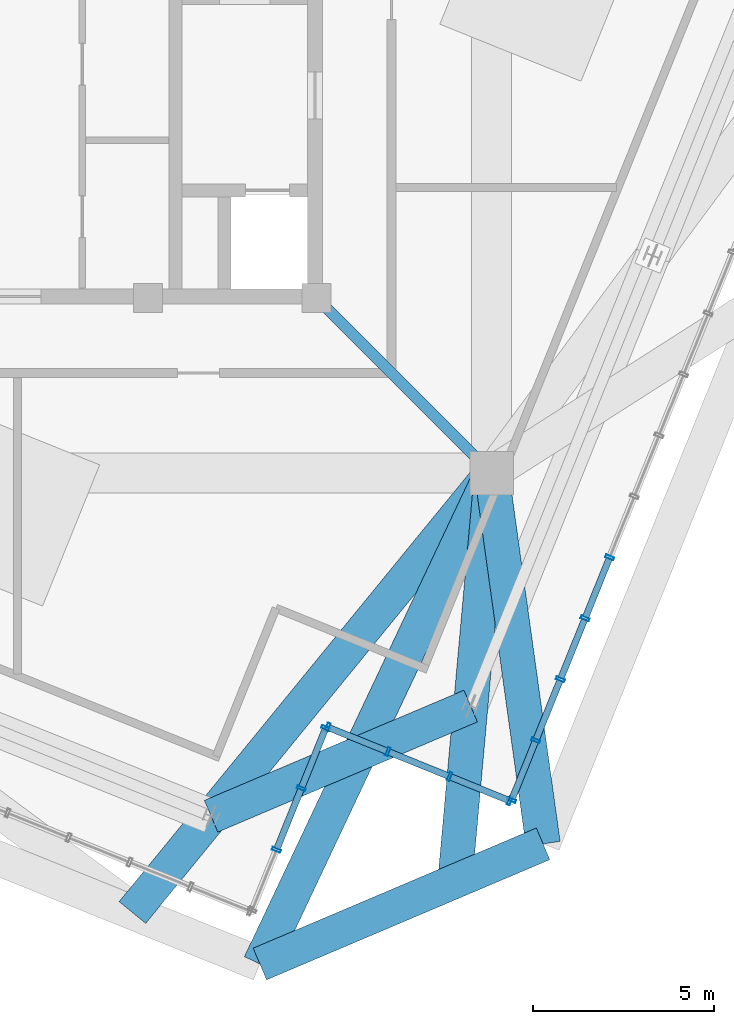
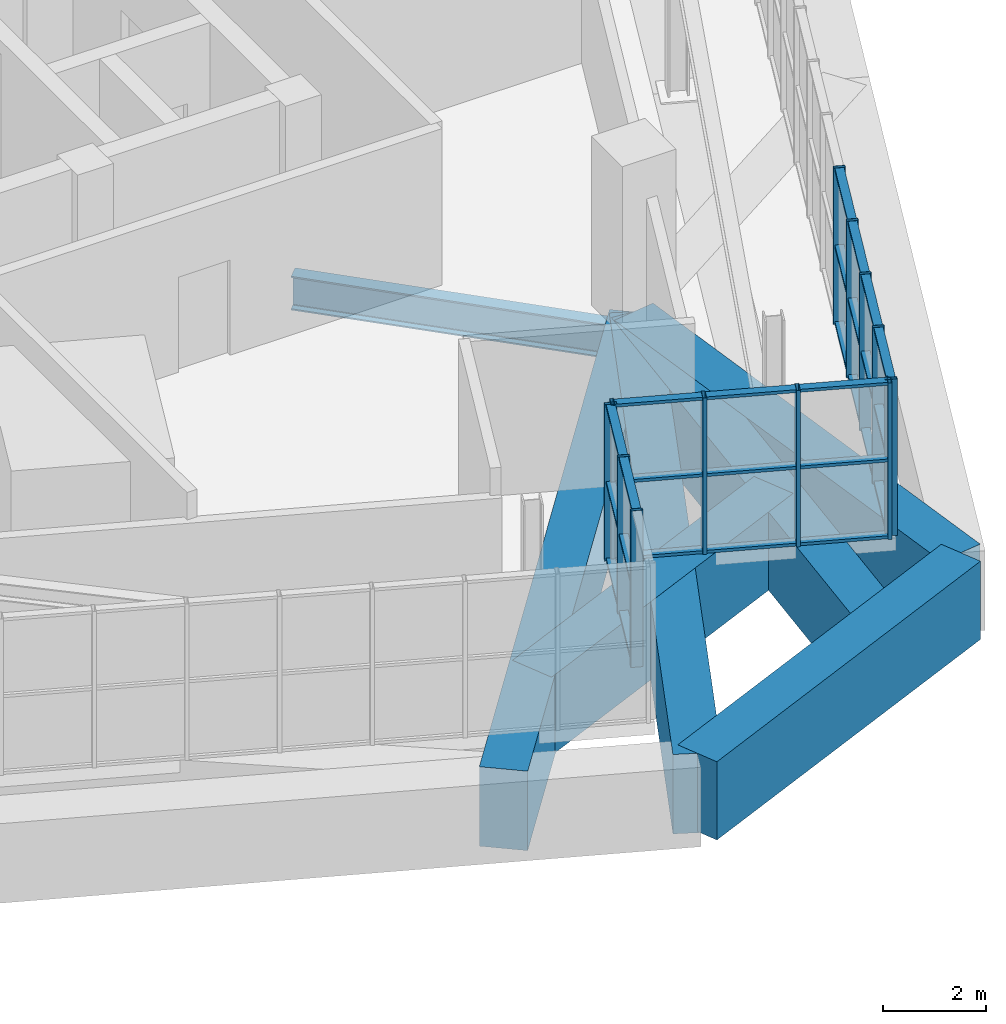
# One storey, part 13 of 35: 39 members, 7 beams, 3 elements without a shape of their own.
"""IFC4 building model written with IfcOpenShell, lengths in metres."""

from ifc_helpers import new_model, si_unit, direction, frame, origin, origin_2d, place, context, subcontext, project, spatial, rectangle, hollow_rectangle, i_section, extrude, source, transform, mapped, material, layer, layer_set, material_profile, profile_set, type_object, element, aggregate, save


model = new_model("IFC4")

# Units and contexts
model_context = context("Model", 3, precision=1e-05, world=origin(), true_north=direction((0.0, 1.0)))
body_context = subcontext(model_context, "Body", "Model", "MODEL_VIEW")
ifc_project = project(units=[si_unit("LENGTHUNIT", "METRE"), si_unit("AREAUNIT", "SQUARE_METRE"), si_unit("VOLUMEUNIT", "CUBIC_METRE"), si_unit("PLANEANGLEUNIT", "RADIAN"), si_unit("MASSUNIT", "GRAM", prefix="KILO"), si_unit("THERMODYNAMICTEMPERATUREUNIT", "KELVIN")], contexts=[model_context])

# Site, building, storey
site_placement = place(None, origin())
site = spatial("IfcSite", under=ifc_project, at=site_placement, CompositionType="ELEMENT")
building_placement = place(site_placement, origin())
building = spatial("IfcBuilding", under=site, at=building_placement, Name="Kosmvard Interchange Tower", CompositionType="ELEMENT")
storey_placement = place(building_placement, frame((0.0, 0.0, 321.60009765625)))
storey = spatial("IfcBuildingStorey", under=building, at=storey_placement, Name="L79", CompositionType="ELEMENT", Elevation=321.60009765625)

# Beams
ifc_material_1 = material(Name="Steel S355", Category="steel")
ifc_material_profile_1 = material_profile(ifc_material_1, i_section(OverallWidth=0.300048828125, OverallDepth=0.800048828125, WebThickness=0.017578125, FlangeThickness=0.032958984375, FilletRadius=0.027099609375, at=origin_2d()), Name="HEB 800")
ifc_profile_set_1 = profile_set([ifc_material_profile_1], Name="Steel S355")
beam_type_1 = type_object("IfcBeamType", Name="Primary Mega-Frame Girder HEB 800 S355", PredefinedType="BEAM", material=ifc_profile_set_1)
shared_shape_1 = source(origin(), body_context, "Body", "SweptSolid", [
    extrude(i_section(OverallWidth=0.300048828125, OverallDepth=0.800048828125, WebThickness=0.017578125, FlangeThickness=0.032958984375, FilletRadius=0.027099609375, at=origin_2d()), origin(), (0.0, 0.0, 1.0), 6.83203125),
])
beam_1_placement = place(storey_placement, frame((8.25, -8.25, -0.7001953125), z_axis=(0.707106781187, -0.707106781187, 0.0), x_axis=(0.707106781187, 0.707106781187, 0.0)))
element("IfcBeam", 1, at=beam_1_placement, inside=storey, type_object=beam_type_1, Name="L79 Radial Mega-Frame Girder 2", PredefinedType="BEAM", context=body_context, shape_type="MappedRepresentation", body=[
    mapped(shared_shape_1, transform((0.0, 0.0, 0.0), scale=1.0)),
])
ifc_material_2 = material(Name="Concrete C60/75", Category="concrete")
ifc_material_profile_2 = material_profile(ifc_material_2, rectangle(XDim=0.949951171875, YDim=1.85009765625, at=origin_2d()), Name="TG 950x1850")
ifc_profile_set_2 = profile_set([ifc_material_profile_2], Name="Concrete C60/75")
beam_type_2 = type_object("IfcBeamType", Name="Upper Transfer Ring Girder 950x1850 C60/75", PredefinedType="USERDEFINED", material=ifc_profile_set_2)
shared_shape_2 = source(origin(), body_context, "Body", "SweptSolid", [
    extrude(rectangle(XDim=0.949951171875, YDim=1.85009765625, at=origin_2d()), origin(), (0.0, 0.0, 1.0), 10.3212890625),
])
beam_2_placement = place(storey_placement, frame((13.0810546875, -13.0810546875, -0.925048828125), z_axis=(0.137572239014, -0.990491735984, 0.0), x_axis=(0.990491735984, 0.137572239014, 0.0)))
element("IfcBeam", 2, at=beam_2_placement, inside=storey, type_object=beam_type_2, Name="BM-L79-LD01", ObjectType="TRANSFER_GIRDER", PredefinedType="USERDEFINED", context=body_context, shape_type="MappedRepresentation", body=[
    mapped(shared_shape_2, transform((0.0, 0.0, 0.0), scale=1.0)),
])
shared_shape_3 = source(origin(), body_context, "Body", "SweptSolid", [
    extrude(rectangle(XDim=0.949951171875, YDim=1.85009765625, at=origin_2d()), origin(), (0.0, 0.0, 1.0), 8.4853515625),
])
beam_3_placement = place(storey_placement, frame((6.690185546875, -26.61962890625, -0.925048828125), z_axis=(0.920507159025, 0.390725696857, 0.0), x_axis=(-0.390725696857, 0.920507159025, 0.0)))
element("IfcBeam", 3, at=beam_3_placement, inside=storey, type_object=beam_type_2, Name="BM-L79-LR12", ObjectType="TRANSFER_GIRDER", PredefinedType="USERDEFINED", context=body_context, shape_type="MappedRepresentation", body=[
    mapped(shared_shape_3, transform((0.0, 0.0, 0.0), scale=1.0)),
])
ifc_material_profile_3 = material_profile(ifc_material_2, rectangle(XDim=0.949951171875, YDim=1.8798828125, at=origin_2d()), Name="TG 950x1880")
ifc_profile_set_3 = profile_set([ifc_material_profile_3], Name="Concrete C60/75")
beam_type_3 = type_object("IfcBeamType", Name="Upper Long-Span Transfer Girder 950x1880 C60/75", PredefinedType="USERDEFINED", material=ifc_profile_set_3)
shared_shape_4 = source(origin(), body_context, "Body", "SweptSolid", [
    extrude(rectangle(XDim=0.949951171875, YDim=1.8798828125, at=origin_2d()), origin(), (0.0, 0.0, 1.0), 14.97119140625),
])
beam_4_placement = place(storey_placement, frame((13.0810546875, -13.0810546875, -0.940185546875), z_axis=(-0.426878146761, -0.904309155001, 0.0), x_axis=(0.904309155001, -0.426878146761, 0.0)))
element("IfcBeam", 4, at=beam_4_placement, inside=storey, type_object=beam_type_3, Name="BM-L79-LD12", ObjectType="TRANSFER_GIRDER", PredefinedType="USERDEFINED", context=body_context, shape_type="MappedRepresentation", body=[
    mapped(shared_shape_4, transform((0.0, 0.0, 0.0), scale=1.0)),
])
shared_shape_5 = source(origin(), body_context, "Body", "SweptSolid", [
    extrude(rectangle(XDim=0.949951171875, YDim=1.85009765625, at=origin_2d()), origin(), (0.0, 0.0, 1.0), 11.30029296875),
])
beam_5_placement = place(storey_placement, frame((13.0810546875, -13.0810546875, -0.925048828125), z_axis=(-0.089466247034, -0.995989854688, 0.0), x_axis=(0.995989854688, -0.089466247034, 0.0)))
element("IfcBeam", 5, at=beam_5_placement, inside=storey, type_object=beam_type_2, Name="BM-L79-RD01", ObjectType="TRANSFER_GIRDER", PredefinedType="USERDEFINED", context=body_context, shape_type="MappedRepresentation", body=[
    mapped(shared_shape_5, transform((0.0, 0.0, 0.0), scale=1.0)),
])
shared_shape_6 = source(origin(), body_context, "Body", "SweptSolid", [
    extrude(rectangle(XDim=0.949951171875, YDim=1.8798828125, at=origin_2d()), origin(), (0.0, 0.0, 1.0), 15.652587890625),
])
beam_6_placement = place(storey_placement, frame((13.0810546875, -13.0810546875, -0.940185546875), z_axis=(-0.632979546163, -0.774168517921, 0.0), x_axis=(0.774168517921, -0.632979546163, 0.0)))
element("IfcBeam", 6, at=beam_6_placement, inside=storey, type_object=beam_type_3, Name="BM-L79-RD12", ObjectType="TRANSFER_GIRDER", PredefinedType="USERDEFINED", context=body_context, shape_type="MappedRepresentation", body=[
    mapped(shared_shape_6, transform((0.0, 0.0, 0.0), scale=1.0)),
])
shared_shape_7 = source(origin(), body_context, "Body", "SweptSolid", [
    extrude(rectangle(XDim=0.949951171875, YDim=1.85009765625, at=origin_2d()), origin(), (0.0, 0.0, 1.0), 7.778076171875),
])
beam_7_placement = place(storey_placement, frame((5.34423828125, -22.54345703125, -0.925048828125), z_axis=(0.92051132134, 0.39071589075, 0.0), x_axis=(-0.39071589075, 0.92051132134, 0.0)))
element("IfcBeam", 7, at=beam_7_placement, inside=storey, type_object=beam_type_2, Name="BM-L79-PR12", ObjectType="TRANSFER_GIRDER", PredefinedType="USERDEFINED", context=body_context, shape_type="MappedRepresentation", body=[
    mapped(shared_shape_7, transform((0.0, 0.0, 0.0), scale=1.0)),
])

# Curtain wall, members
ifc_material_3 = material(Name="Architectural anodised aluminium", Category="aluminium")
ifc_layer = layer(ifc_material_3, 0.25, Name="Architectural anodised aluminium")
ifc_layer_set = layer_set([ifc_layer], Name="Architectural anodised aluminium")
curtain_wall_type = type_object("IfcCurtainWallType", Name="CW-6 Illuminated Crown Lantern Curtain Wall", PredefinedType="NOTDEFINED", material=ifc_layer_set)
curtain_wall_1_placement = place(storey_placement, origin())
curtain_wall_1 = element("IfcCurtainWall", 8, at=curtain_wall_1_placement, inside=storey, type_object=curtain_wall_type, Name="L79 Crown Lantern Glazing Face 01", PredefinedType="NOTDEFINED")
ifc_material_profile_4 = material_profile(ifc_material_3, hollow_rectangle(XDim=0.239990234375, YDim=0.080078125, WallThickness=0.006103515625, at=origin_2d()), Name="CWM 240x80x6")
ifc_profile_set_4 = profile_set([ifc_material_profile_4], Name="Architectural anodised aluminium")
member_type_1 = type_object("IfcMemberType", Name="Lantern & Observation CW Mullion 240x80 Aluminium", PredefinedType="MULLION", material=ifc_profile_set_4)
shared_shape_8 = source(origin(), body_context, "Body", "SweptSolid", [
    extrude(hollow_rectangle(XDim=0.239990234375, YDim=0.080078125, WallThickness=0.006103515625, at=origin_2d()), origin(), (0.0, 0.0, 1.0), 3.699951171875),
])
member_1_placement = place(storey_placement, frame((13.63525390625, -22.096923828125, 0.0), z_axis=(0.0, 0.0, 1.0), x_axis=(-0.927183858065, 0.374606584758, 0.0)))
member_1 = element("IfcMember", 9, at=member_1_placement, type_object=member_type_1, Name="CW-6 mullion 1", PredefinedType="MULLION", context=body_context, shape_type="MappedRepresentation", body=[
    mapped(shared_shape_8, transform((0.0, 0.0, 0.0), scale=1.0)),
])
member_2_placement = place(storey_placement, frame((14.2998046875, -20.451904296875, 0.0), z_axis=(0.0, 0.0, 1.0), x_axis=(-0.927183858065, 0.374606584758, 0.0)))
member_2 = element("IfcMember", 10, at=member_2_placement, type_object=member_type_1, Name="CW-6 mullion 2", PredefinedType="MULLION", context=body_context, shape_type="MappedRepresentation", body=[
    mapped(shared_shape_8, transform((0.0, 0.0, 0.0), scale=1.0)),
])
member_3_placement = place(storey_placement, frame((14.9794921875, -18.77001953125, 0.0), z_axis=(0.0, 0.0, 1.0), x_axis=(-0.927183858065, 0.374606584758, 0.0)))
member_3 = element("IfcMember", 11, at=member_3_placement, type_object=member_type_1, Name="CW-6 mullion 3", PredefinedType="MULLION", context=body_context, shape_type="MappedRepresentation", body=[
    mapped(shared_shape_8, transform((0.0, 0.0, 0.0), scale=1.0)),
])
member_4_placement = place(storey_placement, frame((15.658935546875, -17.087890625, 0.0), z_axis=(0.0, 0.0, 1.0), x_axis=(-0.927183858065, 0.374606584758, 0.0)))
member_4 = element("IfcMember", 12, at=member_4_placement, type_object=member_type_1, Name="CW-6 mullion 4", PredefinedType="MULLION", context=body_context, shape_type="MappedRepresentation", body=[
    mapped(shared_shape_8, transform((0.0, 0.0, 0.0), scale=1.0)),
])
member_5_placement = place(storey_placement, frame((16.338623046875, -15.40576171875, 0.0), z_axis=(0.0, 0.0, 1.0), x_axis=(-0.927183858065, 0.374606584758, 0.0)))
member_5 = element("IfcMember", 13, at=member_5_placement, type_object=member_type_1, Name="CW-6 mullion 5", PredefinedType="MULLION", context=body_context, shape_type="MappedRepresentation", body=[
    mapped(shared_shape_8, transform((0.0, 0.0, 0.0), scale=1.0)),
])

curtain_wall_2_placement = place(storey_placement, origin())
curtain_wall_2 = element("IfcCurtainWall", 14, at=curtain_wall_2_placement, inside=storey, type_object=curtain_wall_type, Name="L79 Crown Lantern Glazing Face 11", PredefinedType="NOTDEFINED")
member_6_placement = place(storey_placement, frame((7.147216796875, -23.473388671875, 0.0), z_axis=(0.0, 0.0, 1.0), x_axis=(-0.92718386612, 0.374606564822, 0.0)))
member_6 = element("IfcMember", 15, at=member_6_placement, type_object=member_type_1, Name="CW-6 mullion 2", PredefinedType="MULLION", context=body_context, shape_type="MappedRepresentation", body=[
    mapped(shared_shape_8, transform((0.0, 0.0, 0.0), scale=1.0)),
])
member_7_placement = place(storey_placement, frame((7.833984375, -21.7734375, 0.0), z_axis=(0.0, 0.0, 1.0), x_axis=(-0.92718386612, 0.374606564822, 0.0)))
member_7 = element("IfcMember", 16, at=member_7_placement, type_object=member_type_1, Name="CW-6 mullion 3", PredefinedType="MULLION", context=body_context, shape_type="MappedRepresentation", body=[
    mapped(shared_shape_8, transform((0.0, 0.0, 0.0), scale=1.0)),
])
member_8_placement = place(storey_placement, frame((8.505859375, -20.110595703125, 0.0), z_axis=(0.0, 0.0, 1.0), x_axis=(-0.92718386612, 0.374606564822, 0.0)))
member_8 = element("IfcMember", 17, at=member_8_placement, type_object=member_type_1, Name="CW-6 mullion 4", PredefinedType="MULLION", context=body_context, shape_type="MappedRepresentation", body=[
    mapped(shared_shape_8, transform((0.0, 0.0, 0.0), scale=1.0)),
])

curtain_wall_3_placement = place(storey_placement, origin())
curtain_wall_3 = element("IfcCurtainWall", 18, at=curtain_wall_3_placement, inside=storey, type_object=curtain_wall_type, Name="L79 Crown Lantern Glazing Face 12", PredefinedType="NOTDEFINED")
member_9_placement = place(storey_placement, frame((8.557861328125, -20.088623046875, 0.0), z_axis=(0.0, 0.0, 1.0), x_axis=(0.374606501678, 0.927183891631, 0.0)))
member_9 = element("IfcMember", 19, at=member_9_placement, type_object=member_type_1, Name="CW-6 mullion 1", PredefinedType="MULLION", context=body_context, shape_type="MappedRepresentation", body=[
    mapped(shared_shape_8, transform((0.0, 0.0, 0.0), scale=1.0)),
])
member_10_placement = place(storey_placement, frame((10.220458984375, -20.760498046875, 0.0), z_axis=(0.0, 0.0, 1.0), x_axis=(0.374606501678, 0.927183891631, 0.0)))
member_10 = element("IfcMember", 20, at=member_10_placement, type_object=member_type_1, Name="CW-6 mullion 2", PredefinedType="MULLION", context=body_context, shape_type="MappedRepresentation", body=[
    mapped(shared_shape_8, transform((0.0, 0.0, 0.0), scale=1.0)),
])
member_11_placement = place(storey_placement, frame((11.92041015625, -21.447265625, 0.0), z_axis=(0.0, 0.0, 1.0), x_axis=(0.374606501678, 0.927183891631, 0.0)))
member_11 = element("IfcMember", 21, at=member_11_placement, type_object=member_type_1, Name="CW-6 mullion 3", PredefinedType="MULLION", context=body_context, shape_type="MappedRepresentation", body=[
    mapped(shared_shape_8, transform((0.0, 0.0, 0.0), scale=1.0)),
])
member_12_placement = place(storey_placement, frame((13.583251953125, -22.118896484375, 0.0), z_axis=(0.0, 0.0, 1.0), x_axis=(0.374606501678, 0.927183891631, 0.0)))
member_12 = element("IfcMember", 22, at=member_12_placement, type_object=member_type_1, Name="CW-6 mullion 4", PredefinedType="MULLION", context=body_context, shape_type="MappedRepresentation", body=[
    mapped(shared_shape_8, transform((0.0, 0.0, 0.0), scale=1.0)),
])

# Member
ifc_material_profile_5 = material_profile(ifc_material_3, hollow_rectangle(XDim=0.179931640625, YDim=0.070068359375, WallThickness=0.0048828125, at=origin_2d()), Name="CWT 180x70x5")
ifc_profile_set_5 = profile_set([ifc_material_profile_5], Name="Architectural anodised aluminium")
member_type_2 = type_object("IfcMemberType", Name="Heavy Lantern CW Transom 180x70 Aluminium", PredefinedType="USERDEFINED", material=ifc_profile_set_5)
shared_shape_9 = source(origin(), body_context, "Body", "SweptSolid", [
    extrude(hollow_rectangle(XDim=0.179931640625, YDim=0.070068359375, WallThickness=0.0048828125, at=origin_2d()), origin(), (0.0, 0.0, 1.0), 1.694091796875),
])
member_13_placement = place(storey_placement, frame((13.650146484375, -22.059814453125, 0.034912109375), z_axis=(0.374667946298, 0.927159064032, 0.0), x_axis=(-0.927159064032, 0.374667946298, 0.0)))
member_13 = element("IfcMember", 23, at=member_13_placement, type_object=member_type_2, Name="CW-6 transom 1.1", ObjectType="TRANSOM", PredefinedType="USERDEFINED", context=body_context, shape_type="MappedRepresentation", body=[
    mapped(shared_shape_9, transform((0.0, 0.0, 0.0), scale=1.0)),
])

member_14_placement = place(storey_placement, frame((13.650146484375, -22.059814453125, 1.849853515625), z_axis=(0.374667946298, 0.927159064032, 0.0), x_axis=(-0.927159064032, 0.374667946298, 0.0)))
member_14 = element("IfcMember", 24, at=member_14_placement, type_object=member_type_2, Name="CW-6 transom 1.2", ObjectType="TRANSOM", PredefinedType="USERDEFINED", context=body_context, shape_type="MappedRepresentation", body=[
    mapped(shared_shape_9, transform((0.0, 0.0, 0.0), scale=1.0)),
])

member_15_placement = place(storey_placement, frame((13.650146484375, -22.059814453125, 3.664794921875), z_axis=(0.374667946298, 0.927159064032, 0.0), x_axis=(-0.927159064032, 0.374667946298, 0.0)))
member_15 = element("IfcMember", 25, at=member_15_placement, type_object=member_type_2, Name="CW-6 transom 1.3", ObjectType="TRANSOM", PredefinedType="USERDEFINED", context=body_context, shape_type="MappedRepresentation", body=[
    mapped(shared_shape_9, transform((0.0, 0.0, 0.0), scale=1.0)),
])

shared_shape_10 = source(origin(), body_context, "Body", "SweptSolid", [
    extrude(hollow_rectangle(XDim=0.179931640625, YDim=0.070068359375, WallThickness=0.0048828125, at=origin_2d()), origin(), (0.0, 0.0, 1.0), 1.734130859375),
])
member_16_placement = place(storey_placement, frame((14.314697265625, -20.414794921875, 0.034912109375), z_axis=(0.374616671924, 0.927179782522, 0.0), x_axis=(-0.927179782522, 0.374616671924, 0.0)))
member_16 = element("IfcMember", 26, at=member_16_placement, type_object=member_type_2, Name="CW-6 transom 2.1", ObjectType="TRANSOM", PredefinedType="USERDEFINED", context=body_context, shape_type="MappedRepresentation", body=[
    mapped(shared_shape_10, transform((0.0, 0.0, 0.0), scale=1.0)),
])

member_17_placement = place(storey_placement, frame((14.314697265625, -20.414794921875, 1.849853515625), z_axis=(0.374616671924, 0.927179782522, 0.0), x_axis=(-0.927179782522, 0.374616671924, 0.0)))
member_17 = element("IfcMember", 27, at=member_17_placement, type_object=member_type_2, Name="CW-6 transom 2.2", ObjectType="TRANSOM", PredefinedType="USERDEFINED", context=body_context, shape_type="MappedRepresentation", body=[
    mapped(shared_shape_10, transform((0.0, 0.0, 0.0), scale=1.0)),
])

member_18_placement = place(storey_placement, frame((14.314697265625, -20.414794921875, 3.664794921875), z_axis=(0.374616671924, 0.927179782522, 0.0), x_axis=(-0.927179782522, 0.374616671924, 0.0)))
member_18 = element("IfcMember", 28, at=member_18_placement, type_object=member_type_2, Name="CW-6 transom 2.3", ObjectType="TRANSOM", PredefinedType="USERDEFINED", context=body_context, shape_type="MappedRepresentation", body=[
    mapped(shared_shape_10, transform((0.0, 0.0, 0.0), scale=1.0)),
])

member_19_placement = place(storey_placement, frame((14.994384765625, -18.73291015625, 0.034912109375), z_axis=(0.374616671924, 0.927179782522, 0.0), x_axis=(-0.927179782522, 0.374616671924, 0.0)))
member_19 = element("IfcMember", 29, at=member_19_placement, type_object=member_type_2, Name="CW-6 transom 3.1", ObjectType="TRANSOM", PredefinedType="USERDEFINED", context=body_context, shape_type="MappedRepresentation", body=[
    mapped(shared_shape_10, transform((0.0, 0.0, 0.0), scale=1.0)),
])

member_20_placement = place(storey_placement, frame((14.994384765625, -18.73291015625, 1.849853515625), z_axis=(0.374616671924, 0.927179782522, 0.0), x_axis=(-0.927179782522, 0.374616671924, 0.0)))
member_20 = element("IfcMember", 30, at=member_20_placement, type_object=member_type_2, Name="CW-6 transom 3.2", ObjectType="TRANSOM", PredefinedType="USERDEFINED", context=body_context, shape_type="MappedRepresentation", body=[
    mapped(shared_shape_10, transform((0.0, 0.0, 0.0), scale=1.0)),
])

member_21_placement = place(storey_placement, frame((14.994384765625, -18.73291015625, 3.664794921875), z_axis=(0.374616671924, 0.927179782522, 0.0), x_axis=(-0.927179782522, 0.374616671924, 0.0)))
member_21 = element("IfcMember", 31, at=member_21_placement, type_object=member_type_2, Name="CW-6 transom 3.3", ObjectType="TRANSOM", PredefinedType="USERDEFINED", context=body_context, shape_type="MappedRepresentation", body=[
    mapped(shared_shape_10, transform((0.0, 0.0, 0.0), scale=1.0)),
])

member_22_placement = place(storey_placement, frame((15.674072265625, -17.05078125, 0.034912109375), z_axis=(0.374495638732, 0.927228675447, 0.0), x_axis=(-0.927228675447, 0.374495638732, 0.0)))
member_22 = element("IfcMember", 32, at=member_22_placement, type_object=member_type_2, Name="CW-6 transom 4.1", ObjectType="TRANSOM", PredefinedType="USERDEFINED", context=body_context, shape_type="MappedRepresentation", body=[
    mapped(shared_shape_10, transform((0.0, 0.0, 0.0), scale=1.0)),
])

member_23_placement = place(storey_placement, frame((15.674072265625, -17.05078125, 1.849853515625), z_axis=(0.374495638732, 0.927228675447, 0.0), x_axis=(-0.927228675447, 0.374495638732, 0.0)))
member_23 = element("IfcMember", 33, at=member_23_placement, type_object=member_type_2, Name="CW-6 transom 4.2", ObjectType="TRANSOM", PredefinedType="USERDEFINED", context=body_context, shape_type="MappedRepresentation", body=[
    mapped(shared_shape_10, transform((0.0, 0.0, 0.0), scale=1.0)),
])

member_24_placement = place(storey_placement, frame((15.674072265625, -17.05078125, 3.664794921875), z_axis=(0.374495638732, 0.927228675447, 0.0), x_axis=(-0.927228675447, 0.374495638732, 0.0)))
member_24 = element("IfcMember", 34, at=member_24_placement, type_object=member_type_2, Name="CW-6 transom 4.3", ObjectType="TRANSOM", PredefinedType="USERDEFINED", context=body_context, shape_type="MappedRepresentation", body=[
    mapped(shared_shape_10, transform((0.0, 0.0, 0.0), scale=1.0)),
])

aggregate(curtain_wall_1, [member_1, member_2, member_3, member_4, member_5, member_13, member_14, member_15, member_16, member_17, member_18, member_19, member_20, member_21, member_22, member_23, member_24])

shared_shape_11 = source(origin(), body_context, "Body", "SweptSolid", [
    extrude(hollow_rectangle(XDim=0.179931640625, YDim=0.070068359375, WallThickness=0.0048828125, at=origin_2d()), origin(), (0.0, 0.0, 1.0), 1.71337890625),
])
member_25_placement = place(storey_placement, frame((7.848876953125, -21.736328125, 0.034912109375), z_axis=(0.374606758599, 0.927183787829, 0.0), x_axis=(-0.927183787829, 0.374606758599, 0.0)))
member_25 = element("IfcMember", 35, at=member_25_placement, type_object=member_type_2, Name="CW-6 transom 3.1", ObjectType="TRANSOM", PredefinedType="USERDEFINED", context=body_context, shape_type="MappedRepresentation", body=[
    mapped(shared_shape_11, transform((0.0, 0.0, 0.0), scale=1.0)),
])

member_26_placement = place(storey_placement, frame((7.848876953125, -21.736328125, 1.849853515625), z_axis=(0.374606758599, 0.927183787829, 0.0), x_axis=(-0.927183787829, 0.374606758599, 0.0)))
member_26 = element("IfcMember", 36, at=member_26_placement, type_object=member_type_2, Name="CW-6 transom 3.2", ObjectType="TRANSOM", PredefinedType="USERDEFINED", context=body_context, shape_type="MappedRepresentation", body=[
    mapped(shared_shape_11, transform((0.0, 0.0, 0.0), scale=1.0)),
])

member_27_placement = place(storey_placement, frame((7.848876953125, -21.736328125, 3.664794921875), z_axis=(0.374606758599, 0.927183787829, 0.0), x_axis=(-0.927183787829, 0.374606758599, 0.0)))
member_27 = element("IfcMember", 37, at=member_27_placement, type_object=member_type_2, Name="CW-6 transom 3.3", ObjectType="TRANSOM", PredefinedType="USERDEFINED", context=body_context, shape_type="MappedRepresentation", body=[
    mapped(shared_shape_11, transform((0.0, 0.0, 0.0), scale=1.0)),
])

member_28_placement = place(storey_placement, frame((8.594970703125, -20.103515625, 0.034912109375), z_axis=(0.927183787829, -0.374606758599, 0.0), x_axis=(0.374606758599, 0.927183787829, 0.0)))
member_28 = element("IfcMember", 38, at=member_28_placement, type_object=member_type_2, Name="CW-6 transom 1.1", ObjectType="TRANSOM", PredefinedType="USERDEFINED", context=body_context, shape_type="MappedRepresentation", body=[
    mapped(shared_shape_11, transform((0.0, 0.0, 0.0), scale=1.0)),
])

member_29_placement = place(storey_placement, frame((8.594970703125, -20.103515625, 1.849853515625), z_axis=(0.927183787829, -0.374606758599, 0.0), x_axis=(0.374606758599, 0.927183787829, 0.0)))
member_29 = element("IfcMember", 39, at=member_29_placement, type_object=member_type_2, Name="CW-6 transom 1.2", ObjectType="TRANSOM", PredefinedType="USERDEFINED", context=body_context, shape_type="MappedRepresentation", body=[
    mapped(shared_shape_11, transform((0.0, 0.0, 0.0), scale=1.0)),
])

member_30_placement = place(storey_placement, frame((8.594970703125, -20.103515625, 3.664794921875), z_axis=(0.927183787829, -0.374606758599, 0.0), x_axis=(0.374606758599, 0.927183787829, 0.0)))
member_30 = element("IfcMember", 40, at=member_30_placement, type_object=member_type_2, Name="CW-6 transom 1.3", ObjectType="TRANSOM", PredefinedType="USERDEFINED", context=body_context, shape_type="MappedRepresentation", body=[
    mapped(shared_shape_11, transform((0.0, 0.0, 0.0), scale=1.0)),
])

member_31_placement = place(storey_placement, frame((11.95751953125, -21.462158203125, 0.034912109375), z_axis=(0.927183787829, -0.374606758599, 0.0), x_axis=(0.374606758599, 0.927183787829, 0.0)))
member_31 = element("IfcMember", 41, at=member_31_placement, type_object=member_type_2, Name="CW-6 transom 3.1", ObjectType="TRANSOM", PredefinedType="USERDEFINED", context=body_context, shape_type="MappedRepresentation", body=[
    mapped(shared_shape_11, transform((0.0, 0.0, 0.0), scale=1.0)),
])

member_32_placement = place(storey_placement, frame((11.95751953125, -21.462158203125, 1.849853515625), z_axis=(0.927183787829, -0.374606758599, 0.0), x_axis=(0.374606758599, 0.927183787829, 0.0)))
member_32 = element("IfcMember", 42, at=member_32_placement, type_object=member_type_2, Name="CW-6 transom 3.2", ObjectType="TRANSOM", PredefinedType="USERDEFINED", context=body_context, shape_type="MappedRepresentation", body=[
    mapped(shared_shape_11, transform((0.0, 0.0, 0.0), scale=1.0)),
])

member_33_placement = place(storey_placement, frame((11.95751953125, -21.462158203125, 3.664794921875), z_axis=(0.927183787829, -0.374606758599, 0.0), x_axis=(0.374606758599, 0.927183787829, 0.0)))
member_33 = element("IfcMember", 43, at=member_33_placement, type_object=member_type_2, Name="CW-6 transom 3.3", ObjectType="TRANSOM", PredefinedType="USERDEFINED", context=body_context, shape_type="MappedRepresentation", body=[
    mapped(shared_shape_11, transform((0.0, 0.0, 0.0), scale=1.0)),
])

shared_shape_12 = source(origin(), body_context, "Body", "SweptSolid", [
    extrude(hollow_rectangle(XDim=0.179931640625, YDim=0.070068359375, WallThickness=0.0048828125, at=origin_2d()), origin(), (0.0, 0.0, 1.0), 1.75341796875),
])
member_34_placement = place(storey_placement, frame((7.162109375, -23.436279296875, 0.034912109375), z_axis=(0.374677135907, 0.927155350429, 0.0), x_axis=(-0.927155350429, 0.374677135907, 0.0)))
member_34 = element("IfcMember", 44, at=member_34_placement, type_object=member_type_2, Name="CW-6 transom 2.1", ObjectType="TRANSOM", PredefinedType="USERDEFINED", context=body_context, shape_type="MappedRepresentation", body=[
    mapped(shared_shape_12, transform((0.0, 0.0, 0.0), scale=1.0)),
])

member_35_placement = place(storey_placement, frame((7.162109375, -23.436279296875, 1.849853515625), z_axis=(0.374677135907, 0.927155350429, 0.0), x_axis=(-0.927155350429, 0.374677135907, 0.0)))
member_35 = element("IfcMember", 45, at=member_35_placement, type_object=member_type_2, Name="CW-6 transom 2.2", ObjectType="TRANSOM", PredefinedType="USERDEFINED", context=body_context, shape_type="MappedRepresentation", body=[
    mapped(shared_shape_12, transform((0.0, 0.0, 0.0), scale=1.0)),
])

member_36_placement = place(storey_placement, frame((7.162109375, -23.436279296875, 3.664794921875), z_axis=(0.374677135907, 0.927155350429, 0.0), x_axis=(-0.927155350429, 0.374677135907, 0.0)))
member_36 = element("IfcMember", 46, at=member_36_placement, type_object=member_type_2, Name="CW-6 transom 2.3", ObjectType="TRANSOM", PredefinedType="USERDEFINED", context=body_context, shape_type="MappedRepresentation", body=[
    mapped(shared_shape_12, transform((0.0, 0.0, 0.0), scale=1.0)),
])

aggregate(curtain_wall_2, [member_6, member_7, member_8, member_34, member_35, member_36, member_25, member_26, member_27])

member_37_placement = place(storey_placement, frame((10.257568359375, -20.775390625, 0.034912109375), z_axis=(0.927203712676, -0.37455743912, 0.0), x_axis=(0.37455743912, 0.927203712676, 0.0)))
member_37 = element("IfcMember", 47, at=member_37_placement, type_object=member_type_2, Name="CW-6 transom 2.1", ObjectType="TRANSOM", PredefinedType="USERDEFINED", context=body_context, shape_type="MappedRepresentation", body=[
    mapped(shared_shape_12, transform((0.0, 0.0, 0.0), scale=1.0)),
])

member_38_placement = place(storey_placement, frame((10.257568359375, -20.775390625, 1.849853515625), z_axis=(0.927203712676, -0.37455743912, 0.0), x_axis=(0.37455743912, 0.927203712676, 0.0)))
member_38 = element("IfcMember", 48, at=member_38_placement, type_object=member_type_2, Name="CW-6 transom 2.2", ObjectType="TRANSOM", PredefinedType="USERDEFINED", context=body_context, shape_type="MappedRepresentation", body=[
    mapped(shared_shape_12, transform((0.0, 0.0, 0.0), scale=1.0)),
])

member_39_placement = place(storey_placement, frame((10.257568359375, -20.775390625, 3.664794921875), z_axis=(0.927203712676, -0.37455743912, 0.0), x_axis=(0.37455743912, 0.927203712676, 0.0)))
member_39 = element("IfcMember", 49, at=member_39_placement, type_object=member_type_2, Name="CW-6 transom 2.3", ObjectType="TRANSOM", PredefinedType="USERDEFINED", context=body_context, shape_type="MappedRepresentation", body=[
    mapped(shared_shape_12, transform((0.0, 0.0, 0.0), scale=1.0)),
])

aggregate(curtain_wall_3, [member_9, member_10, member_11, member_12, member_28, member_29, member_30, member_37, member_38, member_39, member_31, member_32, member_33])

save(model, "model.ifc")
